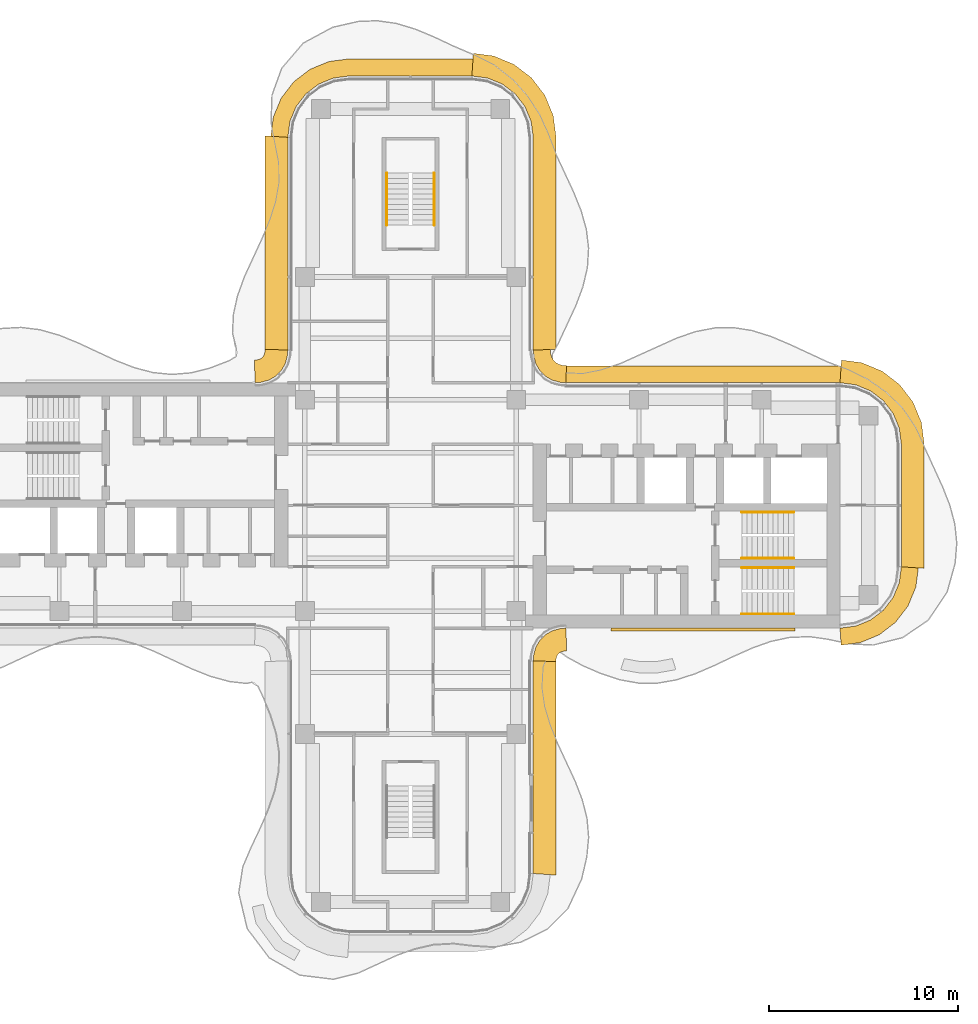
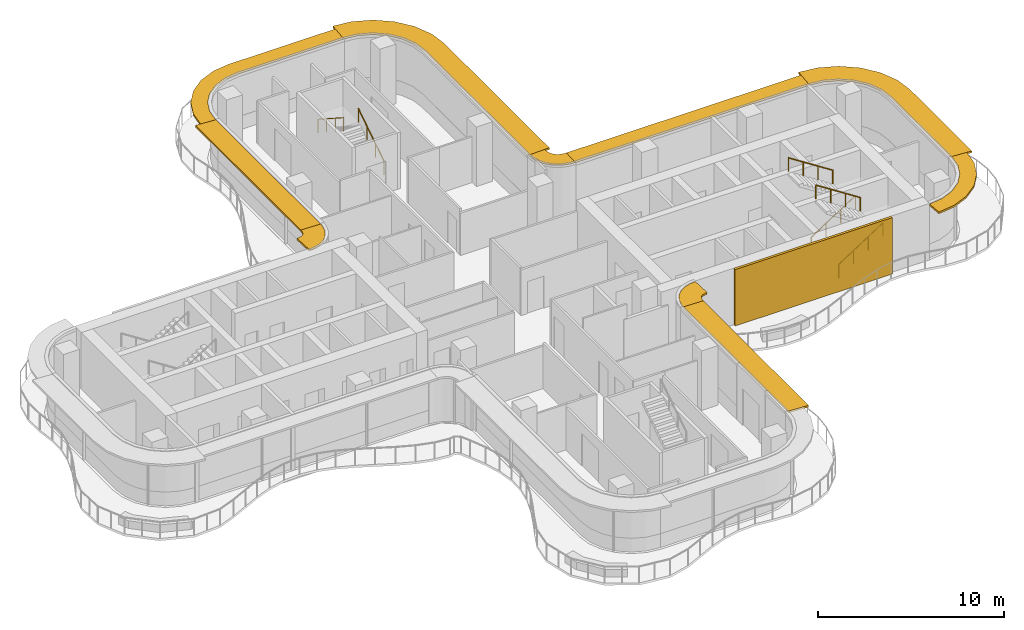
# One storey, part 16 of 16: 10 shading devices, 6 railings, 1 covering.
"""IFC4 building model written with IfcOpenShell, lengths in metres."""

from ifc_helpers import new_model, si_unit, direction, frame, origin, origin_2d, place, context, subcontext, project, spatial, polyline, circle, outline, extrude, source, transform, mapped, material, layer, layer_set, type_object, element, save


model = new_model("IFC4")

# Units and contexts
model_context = context("Model", 3, precision=1e-05, world=origin(), true_north=direction((0.0, 1.0)))
body_context = subcontext(model_context, "Body", "Model", "MODEL_VIEW")
ifc_project = project(units=[si_unit("LENGTHUNIT", "METRE"), si_unit("AREAUNIT", "SQUARE_METRE"), si_unit("VOLUMEUNIT", "CUBIC_METRE"), si_unit("PLANEANGLEUNIT", "RADIAN"), si_unit("MASSUNIT", "GRAM", prefix="KILO")], contexts=[model_context])

# Site, building, storey
site_placement = place(None, origin())
site = spatial("IfcSite", under=ifc_project, at=site_placement, CompositionType="ELEMENT")
building_placement = place(site_placement, origin())
building = spatial("IfcBuilding", under=site, at=building_placement, Name="Trellis Farm Tower", CompositionType="ELEMENT")
storey_placement = place(building_placement, frame((0.0, 0.0, 291.10009765625)))
storey = spatial("IfcBuildingStorey", under=building, at=storey_placement, Name="L65", CompositionType="ELEMENT", Elevation=291.10009765625)

# Railings
ifc_material_1 = material(Name="Stainless steel", Category="steel")
railing_type = type_object("IfcRailingType", Name="STAIR HANDRAIL 900", PredefinedType="HANDRAIL", material=ifc_material_1)
shared_shape_1 = source(origin(), body_context, "Body", "SweptSolid", [
    extrude(circle(Radius=0.02392578125, at=origin_2d()), frame((0.0, 0.0, 0.8759765625), z_axis=(0.0, 0.840503830235, 0.541805602924), x_axis=(-1.0, 0.0, 0.0)), (0.0, 0.0, 1.0), 3.271728515625),
    extrude(circle(Radius=0.02099609375, at=origin_2d()), origin(), (0.0, 0.0, 1.0), 0.851806640625),
    extrude(circle(Radius=0.02099609375, at=origin_2d()), frame((0.0, 0.916748046875, 0.5908203125)), (0.0, 0.0, 1.0), 0.851806640625),
    extrude(circle(Radius=0.02099609375, at=origin_2d()), frame((0.0, 1.833251953125, 1.181884765625)), (0.0, 0.0, 1.0), 0.851806640625),
    extrude(circle(Radius=0.02099609375, at=origin_2d()), frame((0.0, 2.75, 1.772705078125)), (0.0, 0.0, 1.0), 0.851806640625),
])
railing_1_placement = place(storey_placement, frame((1.25, 14.85009765625, 0.17724609375)))
element("IfcRailing", 1, at=railing_1_placement, inside=storey, type_object=railing_type, Name="Stair handrail", PredefinedType="HANDRAIL", context=body_context, shape_type="MappedRepresentation", body=[
    mapped(shared_shape_1, transform((0.0, 0.0, 0.0))),
])
shared_shape_2 = source(origin(), body_context, "Body", "SweptSolid", [
    extrude(circle(Radius=0.02392578125, at=origin_2d()), frame((0.0, 0.0, 0.8759765625), z_axis=(0.0, -0.840503830235, 0.541805602924), x_axis=(1.0, 0.0, 0.0)), (0.0, 0.0, 1.0), 3.271728515625),
    extrude(circle(Radius=0.02099609375, at=origin_2d()), origin(), (0.0, 0.0, 1.0), 0.851806640625),
    extrude(circle(Radius=0.02099609375, at=origin_2d()), frame((0.0, -0.916748046875, 0.5908203125)), (0.0, 0.0, 1.0), 0.851806640625),
    extrude(circle(Radius=0.02099609375, at=origin_2d()), frame((0.0, -1.833251953125, 1.181884765625)), (0.0, 0.0, 1.0), 0.851806640625),
    extrude(circle(Radius=0.02099609375, at=origin_2d()), frame((0.0, -2.75, 1.772705078125)), (0.0, 0.0, 1.0), 0.851806640625),
])
railing_2_placement = place(storey_placement, frame((-1.25, 17.60009765625, 2.127197265625)))
element("IfcRailing", 2, at=railing_2_placement, inside=storey, type_object=railing_type, Name="Stair handrail", PredefinedType="HANDRAIL", context=body_context, shape_type="MappedRepresentation", body=[
    mapped(shared_shape_2, transform((0.0, 0.0, 0.0))),
])
shared_shape_3 = source(origin(), body_context, "Body", "SweptSolid", [
    extrude(circle(Radius=0.02392578125, at=origin_2d()), frame((0.0, 0.0, 0.8759765625), z_axis=(0.840503830235, 0.0, 0.541805602924), x_axis=(0.0, 1.0, 0.0)), (0.0, 0.0, 1.0), 3.271728515625),
    extrude(circle(Radius=0.02099609375, at=origin_2d()), origin(), (0.0, 0.0, 1.0), 0.851806640625),
    extrude(circle(Radius=0.02099609375, at=origin_2d()), frame((0.916748046875, 0.0, 0.5908203125)), (0.0, 0.0, 1.0), 0.851806640625),
    extrude(circle(Radius=0.02099609375, at=origin_2d()), frame((1.833251953125, 0.0, 1.181884765625)), (0.0, 0.0, 1.0), 0.851806640625),
    extrude(circle(Radius=0.02099609375, at=origin_2d()), frame((2.75, 0.0, 1.772705078125)), (0.0, 0.0, 1.0), 0.851806640625),
])
for number, where, name in (
    (3, (17.550048828125, -5.75, 0.17724609375), "Stair handrail"),
    (4, (17.550048828125, -2.800048828125, 0.17724609375), "Stair handrail"),
):
    element("IfcRailing", number, at=place(storey_placement, frame(where)), inside=storey, type_object=railing_type, Name=name, PredefinedType="HANDRAIL", context=body_context, shape_type="MappedRepresentation", body=[
        mapped(shared_shape_3, transform((0.0, 0.0, 0.0))),
    ])
shared_shape_4 = source(origin(), body_context, "Body", "SweptSolid", [
    extrude(circle(Radius=0.02392578125, at=origin_2d()), frame((0.0, 0.0, 0.8759765625), z_axis=(-0.840503830235, 0.0, 0.541805602924), x_axis=(0.0, -1.0, 0.0)), (0.0, 0.0, 1.0), 3.271728515625),
    extrude(circle(Radius=0.02099609375, at=origin_2d()), origin(), (0.0, 0.0, 1.0), 0.851806640625),
    extrude(circle(Radius=0.02099609375, at=origin_2d()), frame((-0.916748046875, 0.0, 0.5908203125)), (0.0, 0.0, 1.0), 0.851806640625),
    extrude(circle(Radius=0.02099609375, at=origin_2d()), frame((-1.833251953125, 0.0, 1.181884765625)), (0.0, 0.0, 1.0), 0.851806640625),
    extrude(circle(Radius=0.02099609375, at=origin_2d()), frame((-2.75, 0.0, 1.772705078125)), (0.0, 0.0, 1.0), 0.851806640625),
])
for number, where, name in (
    (5, (20.300048828125, -3.300048828125, 2.127197265625), "Stair handrail"),
    (6, (20.300048828125, -0.35009765625, 2.127197265625), "Stair handrail"),
):
    element("IfcRailing", number, at=place(storey_placement, frame(where)), inside=storey, type_object=railing_type, Name=name, PredefinedType="HANDRAIL", context=body_context, shape_type="MappedRepresentation", body=[
        mapped(shared_shape_4, transform((0.0, 0.0, 0.0))),
    ])

# Shading devices
ifc_material_2 = material(Name="Aluminium extrusion 6063-T6", Category="aluminium")
ifc_layer_1 = layer(ifc_material_2, 0.1201171875)
ifc_layer_set_1 = layer_set([ifc_layer_1], Name="SUNSHADE BLADE 1200")
shading_device_type_1 = type_object("IfcShadingDeviceType", Name="SUNSHADE BLADE 1200", PredefinedType="USERDEFINED", material=ifc_layer_set_1)
shared_shape_5 = source(origin(), body_context, "Body", "SweptSolid", [
    extrude(outline(polyline([(7.699951171875, -8.270751953125), (7.708740234375, -8.13720703125), (7.70703125, -8.150146484375), (7.7548828125, -7.9716796875), (7.80712890625, -7.881103515625), (7.881103515625, -7.80712890625), (7.9716796875, -7.7548828125), (8.150146484375, -7.70703125), (8.13720703125, -7.708740234375), (8.270751953125, -7.699951171875), (8.2314453125, -6.5), (8.01953125, -6.513916015625), (7.91552734375, -6.527587890625), (7.508544921875, -6.63671875), (7.144287109375, -6.846923828125), (6.846923828125, -7.144287109375), (6.63671875, -7.508544921875), (6.527587890625, -7.91552734375), (6.513916015625, -8.01953125), (6.5, -8.2314453125), (7.699951171875, -8.270751953125)])), origin(), (0.0, 0.0, 1.0), 0.1201171875),
])
placement = place(storey_placement, frame((0.0, 0.0, 3.539794921875)))
element("IfcShadingDevice", 7, at=placement, inside=storey, type_object=shading_device_type_1, Name="SD2 006", ObjectType="SUNSHADE", PredefinedType="USERDEFINED", context=body_context, shape_type="MappedRepresentation", body=[
    mapped(shared_shape_5, transform((0.0, 0.0, 0.0))),
])
ifc_layer_2 = layer(ifc_material_2, 0.1201171875)
ifc_layer_set_2 = layer_set([ifc_layer_2], Name="SUNSHADE BLADE 900")
shading_device_type_2 = type_object("IfcShadingDeviceType", Name="SUNSHADE BLADE 900", PredefinedType="USERDEFINED", material=ifc_layer_set_2)
shared_shape_6 = source(origin(), body_context, "Body", "SweptSolid", [
    extrude(outline(polyline([(8.2607421875, 7.39990234375), (8.107666015625, 7.409912109375), (8.091552734375, 7.412109375), (7.85595703125, 7.475341796875), (7.697021484375, 7.567138671875), (7.567138671875, 7.697021484375), (7.475341796875, 7.85595703125), (7.412109375, 8.091552734375), (7.409912109375, 8.107666015625), (7.39990234375, 8.2607421875), (6.5, 8.2314453125), (6.513916015625, 8.01953125), (6.527587890625, 7.91552734375), (6.63671875, 7.508544921875), (6.846923828125, 7.144287109375), (7.144287109375, 6.846923828125), (7.508544921875, 6.63671875), (7.91552734375, 6.527587890625), (8.01953125, 6.513916015625), (8.2314453125, 6.5), (8.2607421875, 7.39990234375)])), origin(), (0.0, 0.0, 1.0), 0.1201171875),
])
element("IfcShadingDevice", 8, at=placement, inside=storey, type_object=shading_device_type_2, Name="SD1 010", ObjectType="SUNSHADE", PredefinedType="USERDEFINED", context=body_context, shape_type="MappedRepresentation", body=[
    mapped(shared_shape_6, transform((0.0, 0.0, 0.0))),
])
shared_shape_7 = source(origin(), body_context, "Body", "SweptSolid", [
    extrude(outline(polyline([(-7.699951171875, 8.270751953125), (-7.708740234375, 8.13720703125), (-7.70703125, 8.150146484375), (-7.7548828125, 7.9716796875), (-7.80712890625, 7.881103515625), (-7.881103515625, 7.80712890625), (-7.9716796875, 7.7548828125), (-8.150146484375, 7.70703125), (-8.13720703125, 7.708740234375), (-8.270751953125, 7.699951171875), (-8.2314453125, 6.5), (-8.01953125, 6.513916015625), (-7.91552734375, 6.527587890625), (-7.508544921875, 6.63671875), (-7.144287109375, 6.846923828125), (-6.846923828125, 7.144287109375), (-6.63671875, 7.508544921875), (-6.527587890625, 7.91552734375), (-6.513916015625, 8.01953125), (-6.5, 8.2314453125), (-7.699951171875, 8.270751953125)])), origin(), (0.0, 0.0, 1.0), 0.1201171875),
])
element("IfcShadingDevice", 9, at=placement, inside=storey, type_object=shading_device_type_1, Name="SD2 014", ObjectType="SUNSHADE", PredefinedType="USERDEFINED", context=body_context, shape_type="MappedRepresentation", body=[
    mapped(shared_shape_7, transform((0.0, 0.0, 0.0))),
])
shared_shape_8 = source(origin(), body_context, "Body", "SweptSolid", [
    extrude(outline(polyline([(7.699951171875, 8.270751953125), (7.699951171875, 19.57861328125), (7.558349609375, 20.654541015625), (7.11279296875, 21.730224609375), (6.404052734375, 22.654052734375), (5.480224609375, 23.36279296875), (4.404541015625, 23.808349609375), (3.32861328125, 23.949951171875), (3.25, 22.75), (4.091064453125, 22.63916015625), (4.875, 22.314697265625), (5.548095703125, 21.798095703125), (6.064697265625, 21.125), (6.38916015625, 20.341064453125), (6.5, 19.5), (6.5, 8.2314453125), (7.699951171875, 8.270751953125)])), origin(), (0.0, 0.0, 1.0), 0.1201171875),
])
element("IfcShadingDevice", 10, at=placement, inside=storey, type_object=shading_device_type_1, Name="SD2 011", ObjectType="SUNSHADE", PredefinedType="USERDEFINED", context=body_context, shape_type="MappedRepresentation", body=[
    mapped(shared_shape_8, transform((0.0, 0.0, 0.0))),
])
shared_shape_9 = source(origin(), body_context, "Body", "SweptSolid", [
    extrude(outline(polyline([(3.30908203125, 23.64990234375), (-3.30908203125, 23.64990234375), (-4.326171875, 23.51611328125), (-5.328857421875, 23.100830078125), (-6.18994140625, 22.43994140625), (-6.850830078125, 21.578857421875), (-7.26611328125, 20.576171875), (-7.39990234375, 19.55908203125), (-6.5, 19.5), (-6.38916015625, 20.341064453125), (-6.064697265625, 21.125), (-5.548095703125, 21.798095703125), (-4.875, 22.314697265625), (-4.091064453125, 22.63916015625), (-3.25, 22.75), (3.25, 22.75), (3.30908203125, 23.64990234375)])), origin(), (0.0, 0.0, 1.0), 0.1201171875),
])
element("IfcShadingDevice", 11, at=placement, inside=storey, type_object=shading_device_type_2, Name="SD1 012", ObjectType="SUNSHADE", PredefinedType="USERDEFINED", context=body_context, shape_type="MappedRepresentation", body=[
    mapped(shared_shape_9, transform((0.0, 0.0, 0.0))),
])
shared_shape_10 = source(origin(), body_context, "Body", "SweptSolid", [
    extrude(outline(polyline([(-7.699951171875, 19.57861328125), (-7.699951171875, 8.270751953125), (-6.5, 8.2314453125), (-6.5, 19.5), (-7.699951171875, 19.57861328125)])), origin(), (0.0, 0.0, 1.0), 0.1201171875),
])
element("IfcShadingDevice", 12, at=placement, inside=storey, type_object=shading_device_type_1, Name="SD2 013", ObjectType="SUNSHADE", PredefinedType="USERDEFINED", context=body_context, shape_type="MappedRepresentation", body=[
    mapped(shared_shape_10, transform((0.0, 0.0, 0.0))),
])
shared_shape_11 = source(origin(), body_context, "Body", "SweptSolid", [
    extrude(outline(polyline([(22.80908203125, -7.39990234375), (23.826171875, -7.26611328125), (24.828857421875, -6.850830078125), (25.68994140625, -6.18994140625), (26.350830078125, -5.328857421875), (26.76611328125, -4.326171875), (26.89990234375, -3.30908203125), (26.0, -3.25), (25.88916015625, -4.091064453125), (25.564697265625, -4.875), (25.048095703125, -5.548095703125), (24.375, -6.064697265625), (23.591064453125, -6.38916015625), (22.75, -6.5), (22.80908203125, -7.39990234375)])), origin(), (0.0, 0.0, 1.0), 0.1201171875),
])
element("IfcShadingDevice", 13, at=placement, inside=storey, type_object=shading_device_type_2, Name="SD1 007", ObjectType="SUNSHADE", PredefinedType="USERDEFINED", context=body_context, shape_type="MappedRepresentation", body=[
    mapped(shared_shape_11, transform((0.0, 0.0, 0.0))),
])
shared_shape_12 = source(origin(), body_context, "Body", "SweptSolid", [
    extrude(outline(polyline([(27.199951171875, -3.32861328125), (27.199951171875, 3.32861328125), (27.058349609375, 4.404541015625), (26.61279296875, 5.480224609375), (25.904052734375, 6.404052734375), (24.980224609375, 7.11279296875), (23.904541015625, 7.558349609375), (22.82861328125, 7.699951171875), (22.75, 6.5), (23.591064453125, 6.38916015625), (24.375, 6.064697265625), (25.048095703125, 5.548095703125), (25.564697265625, 4.875), (25.88916015625, 4.091064453125), (26.0, 3.25), (26.0, -3.25), (27.199951171875, -3.32861328125)])), origin(), (0.0, 0.0, 1.0), 0.1201171875),
])
element("IfcShadingDevice", 14, at=placement, inside=storey, type_object=shading_device_type_1, Name="SD2 008", ObjectType="SUNSHADE", PredefinedType="USERDEFINED", context=body_context, shape_type="MappedRepresentation", body=[
    mapped(shared_shape_12, transform((0.0, 0.0, 0.0))),
])
shared_shape_13 = source(origin(), body_context, "Body", "SweptSolid", [
    extrude(outline(polyline([(22.80908203125, 7.39990234375), (8.2607421875, 7.39990234375), (8.2314453125, 6.5), (22.75, 6.5), (22.80908203125, 7.39990234375)])), origin(), (0.0, 0.0, 1.0), 0.1201171875),
])
element("IfcShadingDevice", 15, at=placement, inside=storey, type_object=shading_device_type_2, Name="SD1 009", ObjectType="SUNSHADE", PredefinedType="USERDEFINED", context=body_context, shape_type="MappedRepresentation", body=[
    mapped(shared_shape_13, transform((0.0, 0.0, 0.0))),
])

# Covering
ifc_material_3 = material(Name="Perforated precast screen (cobogo)", Category="concrete")
ifc_layer_3 = layer(ifc_material_3, 0.14990234375)
ifc_layer_set_3 = layer_set([ifc_layer_3], Name="COBOGO SCREEN PANEL")
covering_type = type_object("IfcCoveringType", Name="COBOGO SCREEN PANEL", PredefinedType="USERDEFINED", material=ifc_layer_set_3)
shared_shape_14 = source(origin(), body_context, "Body", "SweptSolid", [
    extrude(outline(polyline([(10.61572265625, -6.64990234375), (20.36572265625, -6.64990234375), (20.36572265625, -6.5), (10.61572265625, -6.5), (10.61572265625, -6.64990234375)])), origin(), (0.0, 0.0, 1.0), 3.699951171875),
])
covering_placement = place(storey_placement, origin())
element("IfcCovering", 16, at=covering_placement, inside=storey, type_object=covering_type, Name="SC1 01", ObjectType="SCREEN", PredefinedType="USERDEFINED", context=body_context, shape_type="MappedRepresentation", body=[
    mapped(shared_shape_14, transform((0.0, 0.0, 0.0))),
])

# Shading device
shared_shape_15 = source(origin(), body_context, "Body", "SweptSolid", [
    extrude(outline(polyline([(7.699951171875, -19.57861328125), (7.699951171875, -8.270751953125), (6.5, -8.2314453125), (6.5, -19.5), (7.699951171875, -19.57861328125)])), origin(), (0.0, 0.0, 1.0), 0.1201171875),
])
element("IfcShadingDevice", 17, at=placement, inside=storey, type_object=shading_device_type_1, Name="SD2 005", ObjectType="SUNSHADE", PredefinedType="USERDEFINED", context=body_context, shape_type="MappedRepresentation", body=[
    mapped(shared_shape_15, transform((0.0, 0.0, 0.0))),
])

save(model, "model.ifc")
